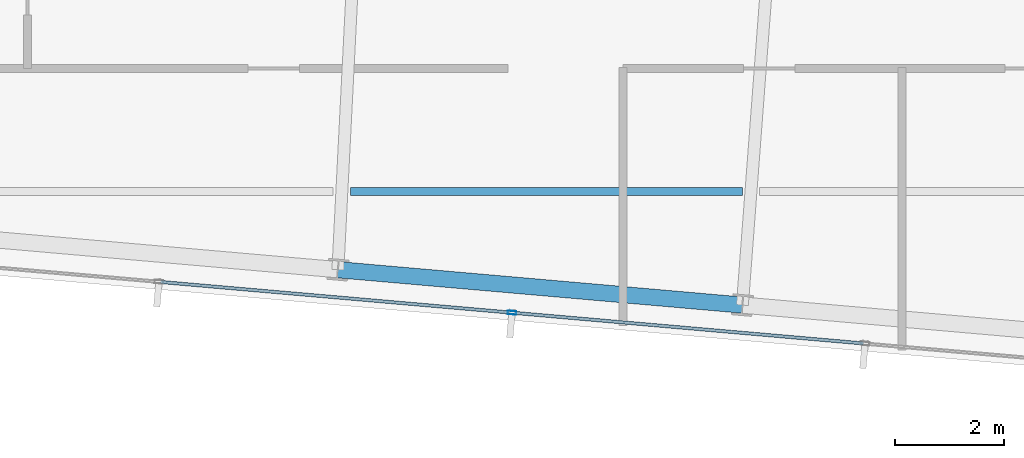
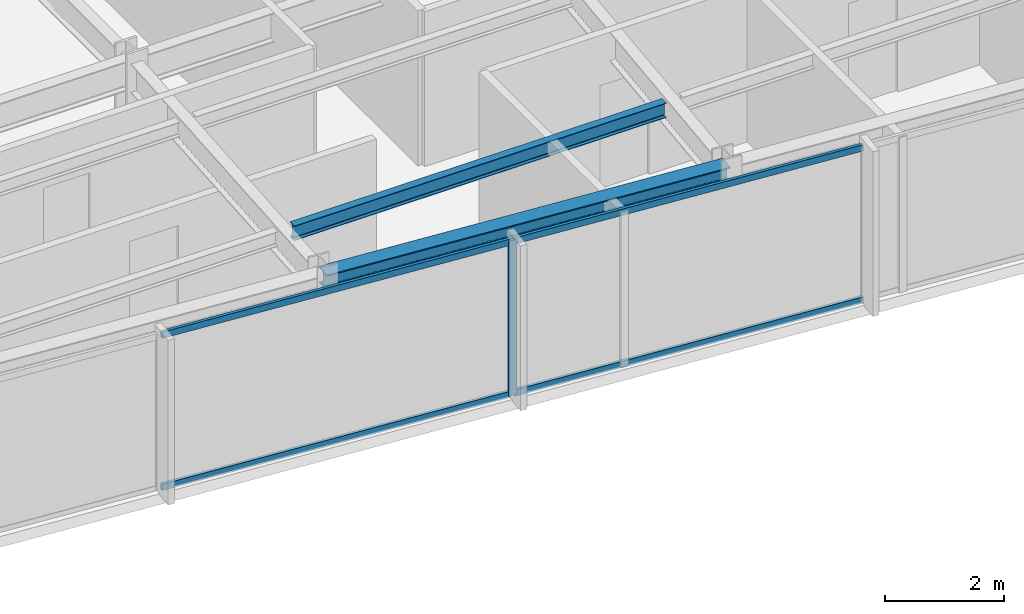
# One storey, part 7 of 32: 5 members, 2 beams, 1 element without a shape of its own.
"""IFC4 building model written with IfcOpenShell, lengths in metres."""

from ifc_helpers import new_model, si_unit, direction, frame, origin, origin_2d, place, context, subcontext, project, spatial, hollow_rectangle, i_section, extrude, material, material_profile, profile_set, type_object, element, aggregate, save


model = new_model("IFC4")

# Units and contexts
model_context = context("Model", 3, precision=1e-05, world=origin(), true_north=direction((0.0, 1.0)))
body_context = subcontext(model_context, "Body", "Model", "MODEL_VIEW")
ifc_project = project(units=[si_unit("LENGTHUNIT", "METRE"), si_unit("AREAUNIT", "SQUARE_METRE"), si_unit("VOLUMEUNIT", "CUBIC_METRE"), si_unit("PLANEANGLEUNIT", "RADIAN"), si_unit("MASSUNIT", "GRAM", prefix="KILO")], contexts=[model_context])

# Site, building, storey
site_placement = place(None, origin())
site = spatial("IfcSite", under=ifc_project, at=site_placement, CompositionType="ELEMENT")
building_placement = place(site_placement, origin())
building = spatial("IfcBuilding", under=site, at=building_placement, Name="Yelkora Congress Tower", CompositionType="ELEMENT")
storey_placement = place(building_placement, frame((0.0, 0.0, 276.10009765625)))
storey = spatial("IfcBuildingStorey", under=building, at=storey_placement, Name="L77", CompositionType="ELEMENT", Elevation=276.10009765625)

# Beams
ifc_material_1 = material(Name="Steel S355J2", Category="steel")
ifc_material_profile_1 = material_profile(ifc_material_1, i_section(OverallWidth=0.14990234375, OverallDepth=0.300048828125, WebThickness=0.007080078125, FlangeThickness=0.0107421875, FilletRadius=0.014892578125, at=origin_2d()), Name="IPE 300")
ifc_profile_set_1 = profile_set([ifc_material_profile_1], Name="Steel S355J2")
beam_type_1 = type_object("IfcBeamType", Name="BM-JOIST-IPE300", PredefinedType="JOIST", material=ifc_profile_set_1)
beam_1_placement = place(storey_placement, frame((30.595703125, 19.58447265625, 3.02978515625), z_axis=(1.0, 0.0, 0.0), x_axis=(0.0, 1.0, 0.0)))
element("IfcBeam", 1, at=beam_1_placement, inside=storey, type_object=beam_type_1, Name="L77 Composite Floor Joist 2", PredefinedType="JOIST", context=body_context, shape_type="SweptSolid", body=[
    extrude(i_section(OverallWidth=0.14990234375, OverallDepth=0.300048828125, WebThickness=0.007080078125, FlangeThickness=0.0107421875, FilletRadius=0.014892578125, at=origin_2d()), origin(), (0.0, 0.0, 1.0), 7.219970703125),
])
ifc_material_profile_2 = material_profile(ifc_material_1, i_section(OverallWidth=0.300048828125, OverallDepth=0.340087890625, WebThickness=0.011962890625, FlangeThickness=0.021484375, FilletRadius=0.027099609375, at=origin_2d()), Name="HEB 340")
ifc_profile_set_2 = profile_set([ifc_material_profile_2], Name="Steel S355J2")
beam_type_2 = type_object("IfcBeamType", Name="BM-SPAN-HEB340", PredefinedType="SPANDREL", material=ifc_profile_set_2)
beam_2_placement = place(storey_placement, frame((30.362548828125, 18.14111328125, 3.010009765625), z_axis=(0.99619601894, -0.087140644067, 0.0), x_axis=(0.087140644067, 0.99619601894, 0.0)))
element("IfcBeam", 2, at=beam_2_placement, inside=storey, type_object=beam_type_2, Name="L77 Perimeter Beam 4", PredefinedType="SPANDREL", context=body_context, shape_type="SweptSolid", body=[
    extrude(i_section(OverallWidth=0.300048828125, OverallDepth=0.340087890625, WebThickness=0.011962890625, FlangeThickness=0.021484375, FilletRadius=0.027099609375, at=origin_2d()), origin(), (0.0, 0.0, 1.0), 7.4833984375),
])

# Curtain wall, members
ifc_material_2 = material(Name="Anodised aluminium and insulated glass", Category="aluminium")
curtain_wall_type = type_object("IfcCurtainWallType", Name="CW-SYS-B5", PredefinedType="NOTDEFINED", material=ifc_material_2)
curtain_wall_placement = place(storey_placement, origin())
curtain_wall = element("IfcCurtainWall", 3, at=curtain_wall_placement, inside=storey, type_object=curtain_wall_type, Name="L77 Unitised Curtain Wall 20", PredefinedType="NOTDEFINED")
ifc_material_3 = material(Name="Anodised aluminium 6063-T6", Category="aluminium")
ifc_material_profile_3 = material_profile(ifc_material_3, hollow_rectangle(XDim=0.06494140625, YDim=0.159912109375, WallThickness=0.00390625, at=origin_2d()), Name="ALU 65x160x4")
ifc_profile_set_3 = profile_set([ifc_material_profile_3], Name="Anodised aluminium 6063-T6")
member_type_1 = type_object("IfcMemberType", Name="MEM-ML-B5", PredefinedType="MULLION", material=ifc_profile_set_3)
member_1_placement = place(storey_placement, frame((33.571533203125, 17.348388671875, 0.0), z_axis=(0.0, 0.0, 1.0), x_axis=(-0.087156829793, -0.996194602987, 0.0)))
member_1 = element("IfcMember", 4, at=member_1_placement, type_object=member_type_1, Name="CW-B5 mullion 4", PredefinedType="MULLION", context=body_context, shape_type="SweptSolid", body=[
    extrude(hollow_rectangle(XDim=0.06494140625, YDim=0.159912109375, WallThickness=0.00390625, at=origin_2d()), origin(), (0.0, 0.0, 1.0), 3.179931640625),
])
ifc_material_profile_4 = material_profile(ifc_material_3, hollow_rectangle(XDim=0.06005859375, YDim=0.1298828125, WallThickness=0.00390625, at=origin_2d()), Name="ALU 60x130x4")
ifc_profile_set_4 = profile_set([ifc_material_profile_4], Name="Anodised aluminium 6063-T6")
member_type_2 = type_object("IfcMemberType", Name="MEM-TR-B5", PredefinedType="USERDEFINED", material=ifc_profile_set_4)
member_2_placement = place(storey_placement, frame((40.045654296875, 16.781982421875, 0.02978515625), z_axis=(-0.996192979814, 0.08717538052, 0.0), x_axis=(-0.08717538052, -0.996192979814, 0.0)))
member_2 = element("IfcMember", 5, at=member_2_placement, type_object=member_type_2, Name="CW-B5 transom 3.1", ObjectType="TRANSOM", PredefinedType="USERDEFINED", context=body_context, shape_type="SweptSolid", body=[
    extrude(hollow_rectangle(XDim=0.06005859375, YDim=0.1298828125, WallThickness=0.00390625, at=origin_2d()), origin(), (0.0, 0.0, 1.0), 6.466552734375),
])
member_3_placement = place(storey_placement, frame((40.045654296875, 16.781982421875, 3.14990234375), z_axis=(-0.996192979814, 0.08717538052, 0.0), x_axis=(-0.08717538052, -0.996192979814, 0.0)))
member_3 = element("IfcMember", 6, at=member_3_placement, type_object=member_type_2, Name="CW-B5 transom 3.2", ObjectType="TRANSOM", PredefinedType="USERDEFINED", context=body_context, shape_type="SweptSolid", body=[
    extrude(hollow_rectangle(XDim=0.06005859375, YDim=0.1298828125, WallThickness=0.00390625, at=origin_2d()), origin(), (0.0, 0.0, 1.0), 6.466552734375),
])
member_4_placement = place(storey_placement, frame((33.5390625, 17.351318359375, 0.02978515625), z_axis=(-0.996196257862, 0.087137912649, 0.0), x_axis=(-0.087137912649, -0.996196257862, 0.0)))
member_4 = element("IfcMember", 7, at=member_4_placement, type_object=member_type_2, Name="CW-B5 transom 4.1", ObjectType="TRANSOM", PredefinedType="USERDEFINED", context=body_context, shape_type="SweptSolid", body=[
    extrude(hollow_rectangle(XDim=0.06005859375, YDim=0.1298828125, WallThickness=0.00390625, at=origin_2d()), origin(), (0.0, 0.0, 1.0), 6.466552734375),
])
member_5_placement = place(storey_placement, frame((33.5390625, 17.351318359375, 3.14990234375), z_axis=(-0.996196257862, 0.087137912649, 0.0), x_axis=(-0.087137912649, -0.996196257862, 0.0)))
member_5 = element("IfcMember", 8, at=member_5_placement, type_object=member_type_2, Name="CW-B5 transom 4.2", ObjectType="TRANSOM", PredefinedType="USERDEFINED", context=body_context, shape_type="SweptSolid", body=[
    extrude(hollow_rectangle(XDim=0.06005859375, YDim=0.1298828125, WallThickness=0.00390625, at=origin_2d()), origin(), (0.0, 0.0, 1.0), 6.466552734375),
])
aggregate(curtain_wall, [member_1, member_2, member_3, member_4, member_5])

save(model, "model.ifc")
